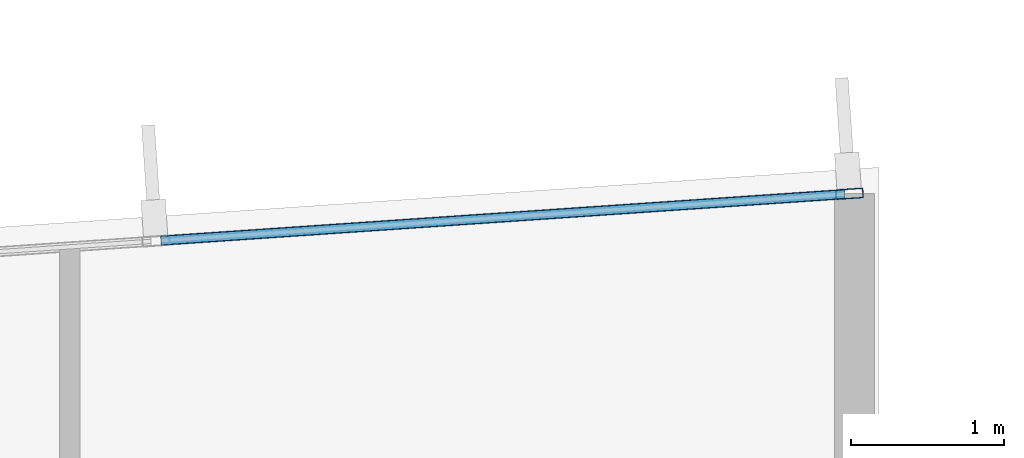
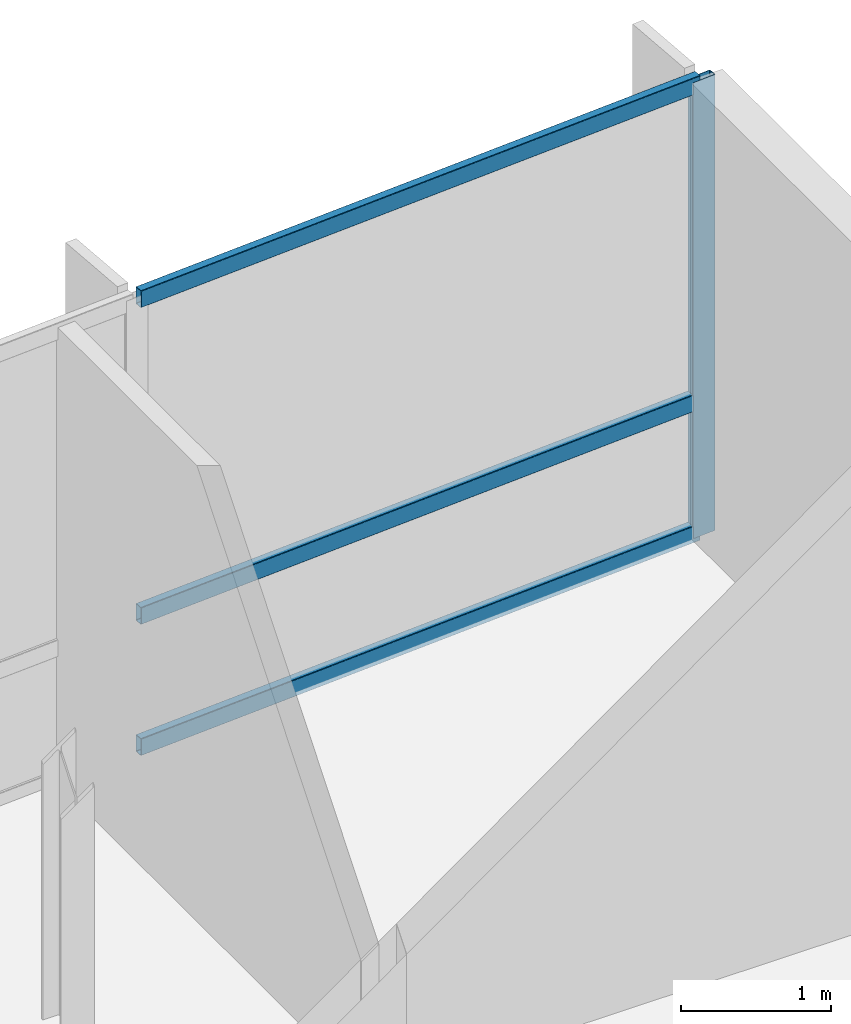
# One storey, part 8 of 16: 4 members, 1 element without a shape of its own.
"""IFC4 building model written with IfcOpenShell, lengths in metres."""

import ifcopenshell
import ifcopenshell.guid

model = None  # the IFC model being written
_history = None  # IfcOwnerHistory: only IFC2X3 demands one
_inside = {}  # id of a spatial element -> (the spatial element, [elements in it])
_under = {}  # id of a project, library or spatial element -> (it, [spatial elements below it])
_declared = {}  # id of a project -> (the project, [libraries it declares])
_typed = {}  # id of a type object -> (the type object, [elements of that type])
_made_of = {}  # id of a material, layer set ... -> (it, [elements and type objects made of it])


def new_model(schema):
    """Start an empty IFC model of exactly this schema.

    Asked for "IFC4X3", IfcOpenShell would pick the latest addendum, in which some entities
    have other attributes; the version numbers below select the first issue.
    IFC2X3 requires an IfcOwnerHistory on every rooted entity: one is made here for all.
    """
    global model, _history
    if schema == "IFC4X3":
        model = ifcopenshell.file(schema_version=(4, 3, 0, 0))
    else:
        model = ifcopenshell.file(schema=schema)
    _inside.clear()
    _under.clear()
    _declared.clear()
    _typed.clear()
    _made_of.clear()
    _history = None
    if model.schema == "IFC2X3":
        org = make("IfcOrganization", Name="unknown")
        user = make(
            "IfcPersonAndOrganization",
            ThePerson=make("IfcPerson", FamilyName="unknown"),
            TheOrganization=org,
        )
        app = make(
            "IfcApplication",
            ApplicationDeveloper=org,
            Version="unknown",
            ApplicationFullName="unknown",
            ApplicationIdentifier="unknown",
        )
        _history = make(
            "IfcOwnerHistory",
            OwningUser=user,
            OwningApplication=app,
            ChangeAction="ADDED",
            CreationDate=0,
        )
    return model


def make(cls, **values):
    """One entity of the class cls with the attributes given. An attribute that is None is left unset."""
    return model.create_entity(
        cls, **{name: value for name, value in values.items() if value is not None}
    )


def rooted(cls, **values):
    """An entity with a GlobalId (a new one), such as an element, a storey or a relation."""
    return make(cls, GlobalId=ifcopenshell.guid.new(), OwnerHistory=_history, **values)


def si_unit(unit_type, name, prefix=None):
    """IfcSIUnit, for example si_unit("LENGTHUNIT", "METRE", prefix="MILLI")."""
    return make("IfcSIUnit", UnitType=unit_type, Prefix=prefix, Name=name)


def assignment(units):
    """IfcUnitAssignment: the units of a project."""
    return None if units is None else make("IfcUnitAssignment", Units=units)


def point(xyz):
    """IfcCartesianPoint."""
    return None if xyz is None else make("IfcCartesianPoint", Coordinates=xyz)


def direction(xyz):
    """IfcDirection."""
    return None if xyz is None else make("IfcDirection", DirectionRatios=xyz)


def frame(location, z_axis=None, x_axis=None):
    """IfcAxis2Placement3D, a coordinate frame: its origin and axes. An axis left out is left unset."""
    return make(
        "IfcAxis2Placement3D",
        Location=point(location),
        Axis=direction(z_axis),
        RefDirection=direction(x_axis),
    )


def frame_2d(location, x_axis=None):
    """IfcAxis2Placement2D, a coordinate frame in the plane: its origin and x axis."""
    return make(
        "IfcAxis2Placement2D", Location=point(location), RefDirection=direction(x_axis)
    )


def origin():
    """The frame at (0, 0, 0) with its axes left unset."""
    return frame((0.0, 0.0, 0.0))


def origin_2d():
    """The frame at (0, 0) in the plane with its x axis left unset."""
    return frame_2d((0.0, 0.0))


def place(relative_to, where):
    """IfcLocalPlacement: puts the frame where relative to a parent placement (None: the world)."""
    return make(
        "IfcLocalPlacement", PlacementRelTo=relative_to, RelativePlacement=where
    )


def context(
    kind, dimensions, precision=None, world=None, true_north=None, identifier=None
):
    """IfcGeometricRepresentationContext, for example the 3D "Model" context."""
    return make(
        "IfcGeometricRepresentationContext",
        ContextIdentifier=identifier,
        ContextType=kind,
        CoordinateSpaceDimension=dimensions,
        Precision=precision,
        WorldCoordinateSystem=world,
        TrueNorth=true_north,
    )


def subcontext(parent, identifier, kind, view, scale=None):
    """IfcGeometricRepresentationSubContext, for example "Body" below "Model"."""
    return make(
        "IfcGeometricRepresentationSubContext",
        ContextIdentifier=identifier,
        ContextType=kind,
        ParentContext=parent,
        TargetScale=scale,
        TargetView=view,
    )


def project(units=None, contexts=None):
    """IfcProject with its units and contexts."""
    return rooted(
        "IfcProject",
        Name="project",
        RepresentationContexts=contexts,
        UnitsInContext=assignment(units),
    )


def spatial(cls, under=None, at=None, **own):
    """A site, building, storey or space (cls), placed at a placement, below another one or the project."""
    s = rooted(cls, ObjectPlacement=at, **own)
    if under is not None:
        _under.setdefault(under.id(), (under, []))[1].append(s)
    return s


def profile(cls, at=None, kind="AREA", **sizes):
    """A parametric profile (cls). Its sizes go by their IFC names, for example OverallWidth=200.0."""
    return make(cls, ProfileType=kind, Position=at, **sizes)


def hollow_rectangle(**sizes):
    """IfcRectangleHollowProfileDef."""
    return profile("IfcRectangleHollowProfileDef", **sizes)


def extrude(swept, where, along, depth):
    """IfcExtrudedAreaSolid: the profile swept, set in the frame where, extruded along a direction by depth."""
    return make(
        "IfcExtrudedAreaSolid",
        SweptArea=swept,
        Position=where,
        ExtrudedDirection=direction(along),
        Depth=depth,
    )


def shape(context_of_items, identifier, shape_type, items):
    """IfcShapeRepresentation: the items that make up one representation, for example the "Body"."""
    return make(
        "IfcShapeRepresentation",
        ContextOfItems=context_of_items,
        RepresentationIdentifier=identifier,
        RepresentationType=shape_type,
        Items=items,
    )


def material(Name=None, Category=None):
    """IfcMaterial."""
    return make("IfcMaterial", Name=Name, Category=Category)


def layer(
    of_material, thickness, ventilated=None, Name=None, Category=None, Priority=None
):
    """IfcMaterialLayer: one layer of a wall or slab, of a material (None: an air gap)."""
    return make(
        "IfcMaterialLayer",
        Material=of_material,
        LayerThickness=thickness,
        IsVentilated=ventilated,
        Name=Name,
        Category=Category,
        Priority=Priority,
    )


def layer_set(layers, Name=None):
    """IfcMaterialLayerSet."""
    return make("IfcMaterialLayerSet", MaterialLayers=layers, LayerSetName=Name)


def material_profile(
    of_material, cross_section, Name=None, Category=None, Priority=None
):
    """IfcMaterialProfile: a cross section and its material."""
    return make(
        "IfcMaterialProfile",
        Name=Name,
        Material=of_material,
        Profile=cross_section,
        Priority=Priority,
        Category=Category,
    )


def profile_set(profiles, Name=None, composite=None):
    """IfcMaterialProfileSet."""
    return make(
        "IfcMaterialProfileSet",
        Name=Name,
        MaterialProfiles=profiles,
        CompositeProfile=composite,
    )


def made_of(thing, what):
    """Note that an element or type object is made of a material, layer set ...; save() writes the relation."""
    if what is not None:
        _made_of.setdefault(what.id(), (what, []))[1].append(thing)
    return thing


def type_object(cls, material=None, **own):
    """A type object (cls), such as IfcWallType, which elements share."""
    return made_of(rooted(cls, **own), material)


def element(
    cls,
    number,
    at=None,
    inside=None,
    cuts=None,
    type_object=None,
    material=None,
    context=None,
    identifier="Body",
    shape_type=None,
    held_by="IfcProductDefinitionShape",
    body=None,
    shapes=None,
    **own,
):
    """One element of the class cls, such as IfcWall. Its Tag is "e" and its number.

    at: its placement. inside: the storey or other place that contains it. cuts: it is an
    opening in that element (IfcRelVoidsElement). A single representation is given by context,
    identifier, shape_type and body (its items); several are given by shapes. held_by: the class
    of the entity that holds the representations. save() writes the other relations.
    """
    e = rooted(cls, Tag="e%d" % number, ObjectPlacement=at, **own)
    if body is not None:
        shapes = [shape(context, identifier, shape_type, body)]
    if shapes is not None:
        e.Representation = make(held_by, Representations=shapes)
    if inside is not None:
        _inside.setdefault(inside.id(), (inside, []))[1].append(e)
    if cuts is not None:
        rooted(
            "IfcRelVoidsElement", RelatingBuildingElement=cuts, RelatedOpeningElement=e
        )
    if type_object is not None:
        _typed.setdefault(type_object.id(), (type_object, []))[1].append(e)
    return made_of(e, material)


def aggregate(whole, parts):
    """IfcRelAggregates: a whole, such as a stair, and the parts it consists of."""
    return rooted("IfcRelAggregates", RelatingObject=whole, RelatedObjects=parts)


def save(model, path):
    """Write the relations noted so far, then the file.

    IfcRelAggregates (storeys below a building ...), IfcRelContainedInSpatialStructure (elements
    in a storey), IfcRelDefinesByType, IfcRelAssociatesMaterial and IfcRelDeclares: one each for
    every whole, place, type object, material and project.
    """
    for whole, parts in _under.values():
        aggregate(whole, parts)
    for where, things in _inside.values():
        rooted(
            "IfcRelContainedInSpatialStructure",
            RelatedElements=things,
            RelatingStructure=where,
        )
    for kind, things in _typed.values():
        rooted("IfcRelDefinesByType", RelatedObjects=things, RelatingType=kind)
    for what, things in _made_of.values():
        rooted("IfcRelAssociatesMaterial", RelatedObjects=things, RelatingMaterial=what)
    for by, libraries in _declared.values():
        rooted("IfcRelDeclares", RelatingContext=by, RelatedDefinitions=libraries)
    model.write(path)


model = new_model("IFC4")

# Units and contexts
model_context = context("Model", 3, precision=1e-05, world=origin(), true_north=direction((0.0, 1.0)))
body_context = subcontext(model_context, "Body", "Model", "MODEL_VIEW")
ifc_project = project(units=[si_unit("LENGTHUNIT", "METRE"), si_unit("AREAUNIT", "SQUARE_METRE"), si_unit("VOLUMEUNIT", "CUBIC_METRE"), si_unit("PLANEANGLEUNIT", "RADIAN"), si_unit("MASSUNIT", "GRAM", prefix="KILO")], contexts=[model_context])

# Site, building, storey
site_placement = place(None, origin())
site = spatial("IfcSite", under=ifc_project, at=site_placement, CompositionType="ELEMENT")
building_placement = place(site_placement, origin())
building = spatial("IfcBuilding", under=site, at=building_placement, Name="Varnakote Quay Hospital", CompositionType="ELEMENT")
storey_placement = place(building_placement, frame((0.0, 0.0, 188.14990234375)))
storey = spatial("IfcBuildingStorey", under=building, at=storey_placement, Name="L46", CompositionType="ELEMENT", Elevation=188.14990234375)

# Curtain wall, members
ifc_material_1 = material(Name="Anodised aluminium 6063-T6 Bronze", Category="aluminium")
ifc_layer = layer(ifc_material_1, 0.219970703125)
ifc_layer_set = layer_set([ifc_layer], Name="Anodised aluminium 6063-T6 Bronze")
curtain_wall_type = type_object("IfcCurtainWallType", Name="CW-SYS-4", PredefinedType="NOTDEFINED", material=ifc_layer_set)
curtain_wall_placement = place(storey_placement, origin())
curtain_wall = element("IfcCurtainWall", 1, at=curtain_wall_placement, inside=storey, type_object=curtain_wall_type, Name="L46 Unitised Bronze Curtain Wall 2", PredefinedType="NOTDEFINED")
ifc_material_2 = material(Name="Anodised aluminium 6063-T6 Bronze", Category="aluminium")
ifc_material_profile_1 = material_profile(ifc_material_2, hollow_rectangle(XDim=0.06494140625, YDim=0.179931640625, WallThickness=0.00390625, InnerFilletRadius=0.00390625, OuterFilletRadius=0.008056640625, at=origin_2d()), Name="CW-MULL-180x65")
ifc_profile_set_1 = profile_set([ifc_material_profile_1], Name="Anodised aluminium 6063-T6 Bronze")
member_type_1 = type_object("IfcMemberType", Name="CW-MULL-180x65", PredefinedType="MULLION", material=ifc_profile_set_1)
member_1_placement = place(storey_placement, frame((48.507568359375, 31.626708984375, 0.0), z_axis=(0.0, 0.0, 1.0), x_axis=(0.067841851077, -0.997696087615, 0.0)))
member_1 = element("IfcMember", 2, at=member_1_placement, type_object=member_type_1, Name="-4-L46-2 mullion 1", PredefinedType="MULLION", context=body_context, shape_type="SweptSolid", body=[
    extrude(hollow_rectangle(XDim=0.06494140625, YDim=0.179931640625, WallThickness=0.00390625, InnerFilletRadius=0.00390625, OuterFilletRadius=0.008056640625, at=origin_2d()), origin(), (0.0, 0.0, 1.0), 3.710205078125),
])
ifc_material_3 = material(Name="Anodised aluminium 6063-T6 Bronze", Category="aluminium")
ifc_material_profile_2 = material_profile(ifc_material_3, hollow_rectangle(XDim=0.06494140625, YDim=0.139892578125, WallThickness=0.00390625, InnerFilletRadius=0.00390625, OuterFilletRadius=0.007568359375, at=origin_2d()), Name="CW-TRAN-140x65")
ifc_profile_set_2 = profile_set([ifc_material_profile_2], Name="Anodised aluminium 6063-T6 Bronze")
member_type_2 = type_object("IfcMemberType", Name="CW-TRAN-140x65", PredefinedType="USERDEFINED", material=ifc_profile_set_2)
member_2_placement = place(storey_placement, frame((48.47509765625, 31.62451171875, 0.03271484375), z_axis=(-0.997692996523, -0.067887294022, 0.0), x_axis=(0.067887294022, -0.997692996523, 0.0)))
member_2 = element("IfcMember", 3, at=member_2_placement, type_object=member_type_2, Name="-4-L46-2 transom 1.1", ObjectType="TRANSOM", PredefinedType="USERDEFINED", context=body_context, shape_type="SweptSolid", body=[
    extrude(hollow_rectangle(XDim=0.06494140625, YDim=0.139892578125, WallThickness=0.00390625, InnerFilletRadius=0.00390625, OuterFilletRadius=0.007568359375, at=origin_2d()), origin(), (0.0, 0.0, 1.0), 4.488037109375),
])
member_3_placement = place(storey_placement, frame((48.47509765625, 31.62451171875, 1.10009765625), z_axis=(-0.997692996523, -0.067887294022, 0.0), x_axis=(0.067887294022, -0.997692996523, 0.0)))
member_3 = element("IfcMember", 4, at=member_3_placement, type_object=member_type_2, Name="-4-L46-2 transom 1.2", ObjectType="TRANSOM", PredefinedType="USERDEFINED", context=body_context, shape_type="SweptSolid", body=[
    extrude(hollow_rectangle(XDim=0.06494140625, YDim=0.139892578125, WallThickness=0.00390625, InnerFilletRadius=0.00390625, OuterFilletRadius=0.007568359375, at=origin_2d()), origin(), (0.0, 0.0, 1.0), 4.488037109375),
])
member_4_placement = place(storey_placement, frame((48.47509765625, 31.62451171875, 3.677490234375), z_axis=(-0.997692996523, -0.067887294022, 0.0), x_axis=(0.067887294022, -0.997692996523, 0.0)))
member_4 = element("IfcMember", 5, at=member_4_placement, type_object=member_type_2, Name="-4-L46-2 transom 1.3", ObjectType="TRANSOM", PredefinedType="USERDEFINED", context=body_context, shape_type="SweptSolid", body=[
    extrude(hollow_rectangle(XDim=0.06494140625, YDim=0.139892578125, WallThickness=0.00390625, InnerFilletRadius=0.00390625, OuterFilletRadius=0.007568359375, at=origin_2d()), origin(), (0.0, 0.0, 1.0), 4.488037109375),
])
aggregate(curtain_wall, [member_1, member_2, member_3, member_4])

save(model, "model.ifc")
